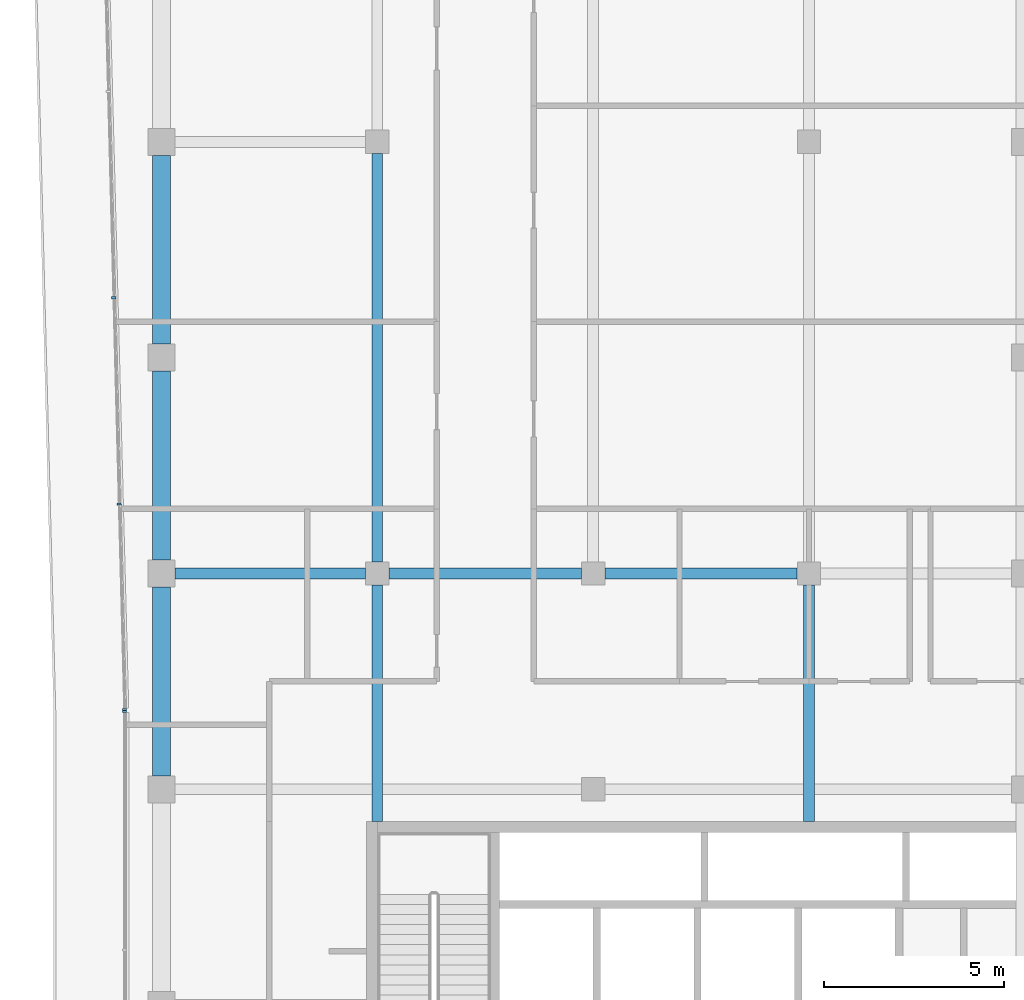
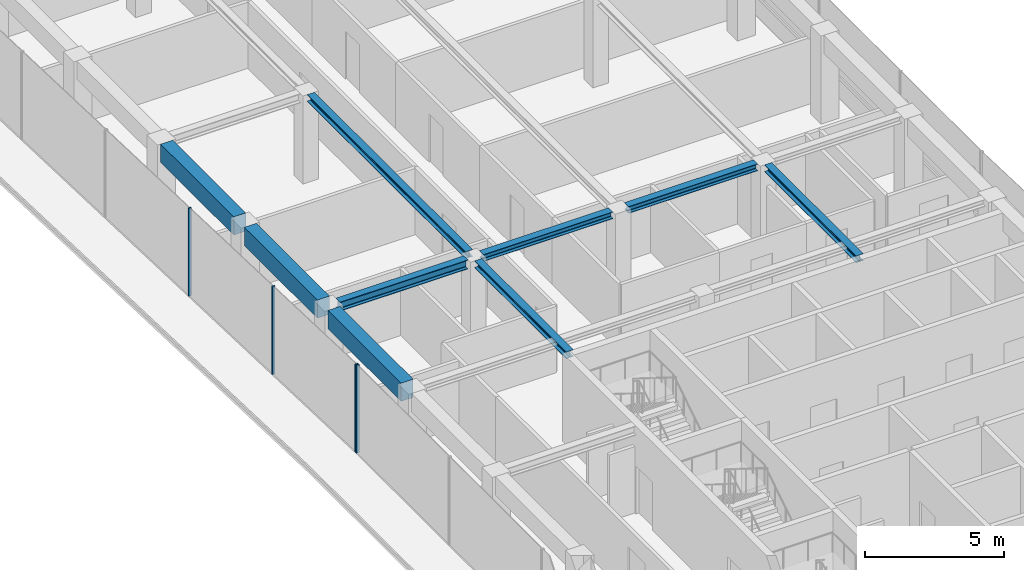
# One storey, part 7 of 20: 9 beams, 4 members, 2 elements without a shape of their own.
"""IFC4 building model written with IfcOpenShell, lengths in metres."""

from ifc_helpers import new_model, si_unit, direction, frame, origin, origin_2d, place, context, subcontext, project, spatial, rectangle, i_section, extrude, material, layer, layer_set, material_profile, profile_set, type_object, element, aggregate, save


model = new_model("IFC4")

# Units and contexts
model_context = context("Model", 3, precision=1e-05, world=origin(), true_north=direction((0.0, 1.0)))
body_context = subcontext(model_context, "Body", "Model", "MODEL_VIEW")
ifc_project = project(units=[si_unit("LENGTHUNIT", "METRE"), si_unit("AREAUNIT", "SQUARE_METRE"), si_unit("VOLUMEUNIT", "CUBIC_METRE"), si_unit("PLANEANGLEUNIT", "RADIAN"), si_unit("MASSUNIT", "GRAM", prefix="KILO")], contexts=[model_context])

# Site, building, storey
site_placement = place(None, origin())
site = spatial("IfcSite", under=ifc_project, at=site_placement, CompositionType="ELEMENT")
building_placement = place(site_placement, origin())
building = spatial("IfcBuilding", under=site, at=building_placement, Name="Welwitschia Terrace Campus", CompositionType="ELEMENT")
storey_placement = place(building_placement, frame((0.0, 0.0, 293.60009765625)))
storey = spatial("IfcBuildingStorey", under=building, at=storey_placement, Name="L65", CompositionType="ELEMENT", Elevation=293.60009765625)

# Beams
ifc_material_1 = material(Name="Steel S355", Category="steel")
ifc_material_profile_1 = material_profile(ifc_material_1, i_section(OverallWidth=0.300048828125, OverallDepth=0.300048828125, WebThickness=0.010986328125, FlangeThickness=0.01904296875, FilletRadius=0.027099609375, at=origin_2d()))
ifc_profile_set_1 = profile_set([ifc_material_profile_1], Name="Steel S355")
beam_type_1 = type_object("IfcBeamType", Name="Interior girder HE 300 B", PredefinedType="BEAM", material=ifc_profile_set_1)
for number, where, z_axis, x_axis, name in (
    (1, (6.325439453125, 32.0, 3.699951171875), (1.0, 0.0, 0.0), (0.0, 1.0, 0.0), "Girder GB6"),
    (2, (12.325439453125, 32.0, 3.699951171875), (1.0, 0.0, 0.0), (0.0, 1.0, 0.0), "Girder GB6"),
):
    element("IfcBeam", number, at=place(storey_placement, frame(where, z_axis=z_axis, x_axis=x_axis)), inside=storey, type_object=beam_type_1, Name=name, PredefinedType="BEAM", context=body_context, shape_type="SweptSolid", body=[
        extrude(i_section(OverallWidth=0.300048828125, OverallDepth=0.300048828125, WebThickness=0.010986328125, FlangeThickness=0.01904296875, FilletRadius=0.027099609375, at=origin_2d()), origin(), (0.0, 0.0, 1.0), 5.34912109375),
    ])
beam_1_placement = place(storey_placement, frame((6.0, 25.10107421875, 3.699951171875), z_axis=(0.0, 1.0, 0.0), x_axis=(-1.0, 0.0, 0.0)))
element("IfcBeam", 3, at=beam_1_placement, inside=storey, type_object=beam_type_1, Name="Girder GB6", PredefinedType="BEAM", context=body_context, shape_type="SweptSolid", body=[
    extrude(i_section(OverallWidth=0.300048828125, OverallDepth=0.300048828125, WebThickness=0.010986328125, FlangeThickness=0.01904296875, FilletRadius=0.027099609375, at=origin_2d()), origin(), (0.0, 0.0, 1.0), 6.573486328125),
])
beam_2_placement = place(storey_placement, frame((6.0, 32.325439453125, 3.699951171875), z_axis=(0.0, 1.0, 0.0), x_axis=(-1.0, 0.0, 0.0)))
element("IfcBeam", 4, at=beam_2_placement, inside=storey, type_object=beam_type_1, Name="Girder GB6", PredefinedType="BEAM", context=body_context, shape_type="SweptSolid", body=[
    extrude(i_section(OverallWidth=0.300048828125, OverallDepth=0.300048828125, WebThickness=0.010986328125, FlangeThickness=0.01904296875, FilletRadius=0.027099609375, at=origin_2d()), origin(), (0.0, 0.0, 1.0), 11.34912109375),
])
beam_3_placement = place(storey_placement, frame((18.0, 25.10107421875, 3.699951171875), z_axis=(0.0, 1.0, 0.0), x_axis=(-1.0, 0.0, 0.0)))
element("IfcBeam", 5, at=beam_3_placement, inside=storey, type_object=beam_type_1, Name="Girder GB6", PredefinedType="BEAM", context=body_context, shape_type="SweptSolid", body=[
    extrude(i_section(OverallWidth=0.300048828125, OverallDepth=0.300048828125, WebThickness=0.010986328125, FlangeThickness=0.01904296875, FilletRadius=0.027099609375, at=origin_2d()), origin(), (0.0, 0.0, 1.0), 6.573486328125),
])

# Curtain wall, members
ifc_material_2 = material(Name="Bronze anodised aluminium", Category="aluminium")
ifc_layer = layer(ifc_material_2, 0.1201171875)
ifc_layer_set = layer_set([ifc_layer], Name="Bronze anodised aluminium")
curtain_wall_type = type_object("IfcCurtainWallType", Name="Curtain wall CW2 tower 6000", PredefinedType="NOTDEFINED", material=ifc_layer_set)
curtain_wall_1_placement = place(storey_placement, origin())
curtain_wall_1 = element("IfcCurtainWall", 6, at=curtain_wall_1_placement, inside=storey, type_object=curtain_wall_type, Name="CW L65.0.0", PredefinedType="NOTDEFINED")
ifc_material_3 = material(Name="Bronze anodised aluminium", Category="aluminium")
ifc_material_profile_2 = material_profile(ifc_material_3, rectangle(XDim=0.1201171875, YDim=0.06005859375, at=origin_2d()))
ifc_profile_set_2 = profile_set([ifc_material_profile_2], Name="Bronze anodised aluminium")
member_type = type_object("IfcMemberType", Name="Mullion 60x120", PredefinedType="MULLION", material=ifc_profile_set_2)
member_1_placement = place(storey_placement, frame((-1.33056640625, 39.666259765625, 0.0), z_axis=(0.0, 0.0, 1.0), x_axis=(0.999657324976, 0.026176948308, 0.0)))
member_1 = element("IfcMember", 7, at=member_1_placement, type_object=member_type, Name="Mullion L65.0.0.4", PredefinedType="MULLION", context=body_context, shape_type="SweptSolid", body=[
    extrude(rectangle(XDim=0.1201171875, YDim=0.06005859375, at=origin_2d()), origin(), (0.0, 0.0, 1.0), 3.849853515625),
])
member_2_placement = place(storey_placement, frame((-1.18017578125, 33.928955078125, 0.0), z_axis=(0.0, 0.0, 1.0), x_axis=(0.999657324976, 0.026176948308, 0.0)))
member_2 = element("IfcMember", 8, at=member_2_placement, type_object=member_type, Name="Mullion L65.0.0.5", PredefinedType="MULLION", context=body_context, shape_type="SweptSolid", body=[
    extrude(rectangle(XDim=0.1201171875, YDim=0.06005859375, at=origin_2d()), origin(), (0.0, 0.0, 1.0), 3.849853515625),
])
member_3_placement = place(storey_placement, frame((-1.03076171875, 28.2216796875, 0.0), z_axis=(0.0, 0.0, 1.0), x_axis=(0.999657324976, 0.026176948308, 0.0)))
member_3 = element("IfcMember", 9, at=member_3_placement, type_object=member_type, Name="Mullion L65.0.0.6", PredefinedType="MULLION", context=body_context, shape_type="SweptSolid", body=[
    extrude(rectangle(XDim=0.1201171875, YDim=0.06005859375, at=origin_2d()), origin(), (0.0, 0.0, 1.0), 3.849853515625),
])
aggregate(curtain_wall_1, [member_1, member_2, member_3])

# Curtain wall, member
curtain_wall_2_placement = place(storey_placement, origin())
curtain_wall_2 = element("IfcCurtainWall", 10, at=curtain_wall_2_placement, inside=storey, type_object=curtain_wall_type, Name="CW L65.1.0", PredefinedType="NOTDEFINED")
member_4_placement = place(storey_placement, frame((-1.030029296875, 28.16162109375, 0.0), z_axis=(0.0, 0.0, 1.0), x_axis=(1.0, 0.0, 0.0)))
member_4 = element("IfcMember", 11, at=member_4_placement, type_object=member_type, Name="Mullion L65.1.0.0", PredefinedType="MULLION", context=body_context, shape_type="SweptSolid", body=[
    extrude(rectangle(XDim=0.1201171875, YDim=0.06005859375, at=origin_2d()), origin(), (0.0, 0.0, 1.0), 3.849853515625),
])
aggregate(curtain_wall_2, [member_4])

# Beams
ifc_material_4 = material(Name="Steel S355", Category="steel")
ifc_material_profile_3 = material_profile(ifc_material_4, i_section(OverallWidth=0.300048828125, OverallDepth=0.39990234375, WebThickness=0.013427734375, FlangeThickness=0.02392578125, FilletRadius=0.027099609375, at=origin_2d()))
ifc_profile_set_3 = profile_set([ifc_material_profile_3], Name="Steel S355")
beam_type_2 = type_object("IfcBeamType", Name="Primary beam HE 400 B", PredefinedType="BEAM", material=ifc_profile_set_3)
beam_4_placement = place(storey_placement, frame((0.37548828125, 32.0, 3.64990234375), z_axis=(1.0, 0.0, 0.0), x_axis=(0.0, 1.0, 0.0)))
element("IfcBeam", 12, at=beam_4_placement, inside=storey, type_object=beam_type_2, Name="Primary beam PB6", PredefinedType="BEAM", context=body_context, shape_type="SweptSolid", body=[
    extrude(i_section(OverallWidth=0.300048828125, OverallDepth=0.39990234375, WebThickness=0.013427734375, FlangeThickness=0.02392578125, FilletRadius=0.027099609375, at=origin_2d()), origin(), (0.0, 0.0, 1.0), 5.299072265625),
])
ifc_material_5 = material(Name="Concrete C50/60", Category="concrete")
ifc_material_profile_4 = material_profile(ifc_material_5, rectangle(XDim=0.5, YDim=0.800048828125, at=origin_2d()))
ifc_profile_set_4 = profile_set([ifc_material_profile_4], Name="Concrete C50/60")
beam_type_3 = type_object("IfcBeamType", Name="Ring spandrel 500x800", PredefinedType="SPANDREL", material=ifc_profile_set_4)
for number, where, z_axis, x_axis, name in (
    (13, (0.0, 43.62451171875, 3.449951171875), (0.0, -1.0, 0.0), (1.0, 0.0, 0.0), "Spandrel SP4"),
    (14, (0.0, 37.62451171875, 3.449951171875), (0.0, -1.0, 0.0), (1.0, 0.0, 0.0), "Spandrel SP4"),
    (15, (0.0, 31.62451171875, 3.449951171875), (0.0, -1.0, 0.0), (1.0, 0.0, 0.0), "Spandrel SP4"),
):
    element("IfcBeam", number, at=place(storey_placement, frame(where, z_axis=z_axis, x_axis=x_axis)), inside=storey, type_object=beam_type_3, Name=name, PredefinedType="SPANDREL", context=body_context, shape_type="SweptSolid", body=[
        extrude(rectangle(XDim=0.5, YDim=0.800048828125, at=origin_2d()), origin(), (0.0, 0.0, 1.0), 5.2490234375),
    ])

save(model, "model.ifc")
